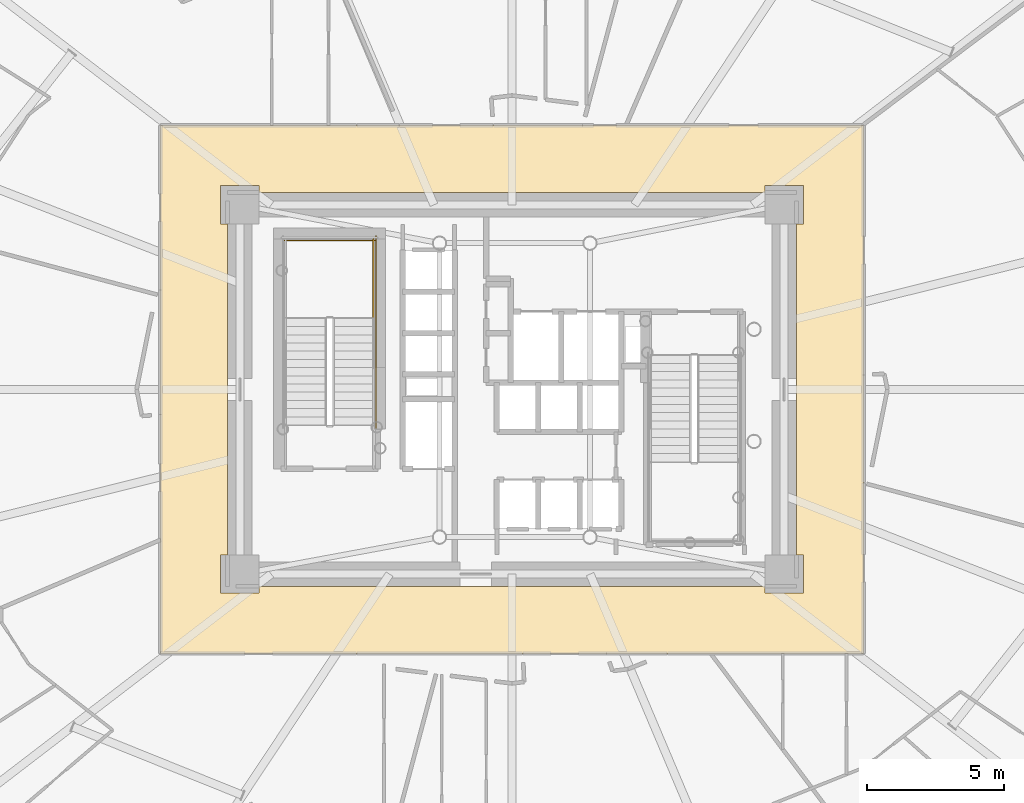
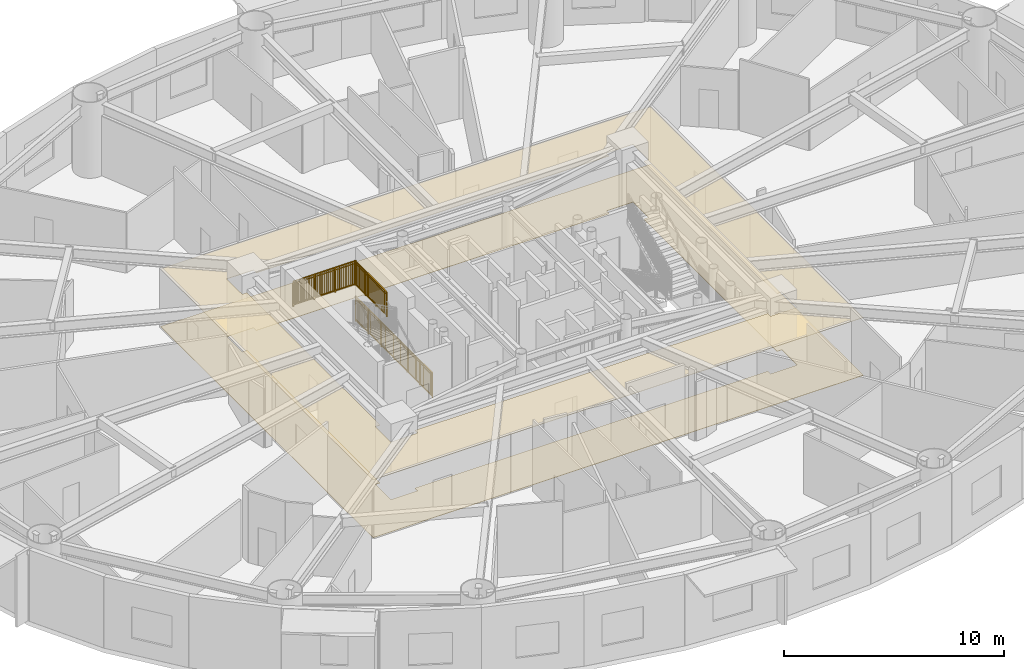
# One storey, part 20 of 24: 3 railings, 2 coverings.
"""IFC4 building model written with IfcOpenShell, lengths in metres."""

from ifc_helpers import new_model, si_unit, direction, frame, origin, origin_2d, place, context, subcontext, project, spatial, polyline, rectangle, outline, extrude, source, transform, mapped, material, layer, layer_set, type_object, element, save


model = new_model("IFC4")

# Units and contexts
model_context = context("Model", 3, precision=1e-05, world=origin(), true_north=direction((0.0, 1.0)))
body_context = subcontext(model_context, "Body", "Model", "MODEL_VIEW")
ifc_project = project(units=[si_unit("LENGTHUNIT", "METRE"), si_unit("AREAUNIT", "SQUARE_METRE"), si_unit("VOLUMEUNIT", "CUBIC_METRE"), si_unit("PLANEANGLEUNIT", "RADIAN"), si_unit("MASSUNIT", "GRAM", prefix="KILO")], contexts=[model_context])

# Site, building, storey
site_placement = place(None, origin())
site = spatial("IfcSite", under=ifc_project, at=site_placement, CompositionType="ELEMENT")
building_placement = place(site_placement, origin())
building = spatial("IfcBuilding", under=site, at=building_placement, Name="Linh Dai School and Residence Tower", CompositionType="ELEMENT")
storey_placement = place(building_placement, frame((0.0, 0.0, 70.199951171875)))
storey = spatial("IfcBuildingStorey", under=building, at=storey_placement, Name="L16", CompositionType="ELEMENT", Elevation=70.199951171875)

# Coverings
ifc_material_1 = material(Name="Mineral Fibre Acoustic Suspended Ceiling", Category="masonry")
ifc_layer_1 = layer(ifc_material_1, 0.02001953125)
ifc_layer_set_1 = layer_set([ifc_layer_1], Name="Mineral Fibre Acoustic Suspended Ceiling")
covering_type_1 = type_object("IfcCoveringType", Name="COV-CEIL-AC-20", PredefinedType="CEILING", material=ifc_layer_set_1)
covering_1_placement = place(storey_placement, frame((0.0, 0.0, 3.199951171875)))
element("IfcCovering", 1, at=covering_1_placement, inside=storey, type_object=covering_type_1, Name="L16 Residential Floor Corridor Suspended Ceiling", PredefinedType="CEILING", context=body_context, shape_type="SweptSolid", body=[
    extrude(outline(polyline([(48.85009765625, 36.64990234375), (48.85009765625, 17.35009765625), (23.14990234375, 17.35009765625), (23.14990234375, 36.64990234375), (48.85009765625, 36.64990234375)]), holes=[polyline([(26.75, 34.199951171875), (26.75, 34.449951171875), (25.35009765625, 34.449951171875), (25.35009765625, 33.050048828125), (25.60009765625, 33.050048828125), (25.60009765625, 20.949951171875), (25.35009765625, 20.949951171875), (25.35009765625, 19.550048828125), (26.75, 19.550048828125), (26.75, 19.800048828125), (45.25, 19.800048828125), (45.25, 19.550048828125), (46.64990234375, 19.550048828125), (46.64990234375, 20.949951171875), (46.39990234375, 20.949951171875), (46.39990234375, 33.050048828125), (46.64990234375, 33.050048828125), (46.64990234375, 34.449951171875), (45.25, 34.449951171875), (45.25, 34.199951171875), (26.75, 34.199951171875)])]), origin(), (0.0, 0.0, 1.0), 0.02001953125),
])
ifc_material_2 = material(Name="Polished Terrazzo Floor Finish", Category="masonry")
ifc_layer_2 = layer(ifc_material_2, 0.02490234375)
ifc_layer_set_2 = layer_set([ifc_layer_2], Name="Polished Terrazzo Floor Finish")
covering_type_2 = type_object("IfcCoveringType", Name="COV-FLR-TRZ-25", PredefinedType="FLOORING", material=ifc_layer_set_2)
covering_2_placement = place(storey_placement, origin())
element("IfcCovering", 2, at=covering_2_placement, inside=storey, type_object=covering_type_2, Name="L16 Residential Floor Corridor Floor Finish", PredefinedType="FLOORING", context=body_context, shape_type="SweptSolid", body=[
    extrude(outline(polyline([(48.85009765625, 36.64990234375), (48.85009765625, 17.35009765625), (23.14990234375, 17.35009765625), (23.14990234375, 36.64990234375), (48.85009765625, 36.64990234375)]), holes=[polyline([(26.75, 34.199951171875), (26.75, 34.449951171875), (25.35009765625, 34.449951171875), (25.35009765625, 33.050048828125), (25.60009765625, 33.050048828125), (25.60009765625, 20.949951171875), (25.35009765625, 20.949951171875), (25.35009765625, 19.550048828125), (26.75, 19.550048828125), (26.75, 19.800048828125), (45.25, 19.800048828125), (45.25, 19.550048828125), (46.64990234375, 19.550048828125), (46.64990234375, 20.949951171875), (46.39990234375, 20.949951171875), (46.39990234375, 33.050048828125), (46.64990234375, 33.050048828125), (46.64990234375, 34.449951171875), (45.25, 34.449951171875), (45.25, 34.199951171875), (26.75, 34.199951171875)])]), origin(), (0.0, 0.0, 1.0), 0.02001953125),
])

# Railings
ifc_material_3 = material(Name="Structural Steel S355JR", Category="steel")
railing_type = type_object("IfcRailingType", Name="RL-ST-GUARD-1400", PredefinedType="GUARDRAIL", material=ifc_material_3)
shared_shape_1 = source(origin(), body_context, "Body", "SweptSolid", [
    extrude(rectangle(XDim=0.048095703125, YDim=0.048095703125, at=origin_2d()), frame((0.0, 0.0, 1.3759765625), z_axis=(-1.0, 0.0, 0.0), x_axis=(0.0, -1.0, 0.0)), (0.0, 0.0, 1.0), 3.300048828125),
    extrude(rectangle(XDim=0.048095703125, YDim=0.048095703125, at=origin_2d()), frame((0.0, 0.0, 0.10009765625), z_axis=(-1.0, 0.0, 0.0), x_axis=(0.0, -1.0, 0.0)), (0.0, 0.0, 1.0), 3.300048828125),
    extrude(rectangle(XDim=0.030029296875, YDim=0.030029296875, at=origin_2d()), frame((0.0, 0.0, 1.239990234375), z_axis=(-1.0, 0.0, 0.0), x_axis=(0.0, -1.0, 0.0)), (0.0, 0.0, 1.0), 3.300048828125),
    extrude(rectangle(XDim=0.02001953125, YDim=0.02001953125, at=origin_2d()), frame((-0.09716796875, 0.0, 0.10009765625)), (0.0, 0.0, 1.0), 1.251708984375),
    extrude(rectangle(XDim=0.02001953125, YDim=0.02001953125, at=origin_2d()), frame((-0.194091796875, 0.0, 0.10009765625)), (0.0, 0.0, 1.0), 1.251708984375),
    extrude(rectangle(XDim=0.02001953125, YDim=0.02001953125, at=origin_2d()), frame((-0.291259765625, 0.0, 0.10009765625)), (0.0, 0.0, 1.0), 1.251708984375),
    extrude(rectangle(XDim=0.02001953125, YDim=0.02001953125, at=origin_2d()), frame((-0.38818359375, 0.0, 0.10009765625)), (0.0, 0.0, 1.0), 1.251708984375),
    extrude(rectangle(XDim=0.02001953125, YDim=0.02001953125, at=origin_2d()), frame((-0.4853515625, 0.0, 0.10009765625)), (0.0, 0.0, 1.0), 1.251708984375),
    extrude(rectangle(XDim=0.02001953125, YDim=0.02001953125, at=origin_2d()), frame((-0.582275390625, 0.0, 0.10009765625)), (0.0, 0.0, 1.0), 1.251708984375),
    extrude(rectangle(XDim=0.02001953125, YDim=0.02001953125, at=origin_2d()), frame((-0.679443359375, 0.0, 0.10009765625)), (0.0, 0.0, 1.0), 1.251708984375),
    extrude(rectangle(XDim=0.02001953125, YDim=0.02001953125, at=origin_2d()), frame((-0.7763671875, 0.0, 0.10009765625)), (0.0, 0.0, 1.0), 1.251708984375),
    extrude(rectangle(XDim=0.02001953125, YDim=0.02001953125, at=origin_2d()), frame((-0.87353515625, 0.0, 0.10009765625)), (0.0, 0.0, 1.0), 1.251708984375),
    extrude(rectangle(XDim=0.02001953125, YDim=0.02001953125, at=origin_2d()), frame((-0.970703125, 0.0, 0.10009765625)), (0.0, 0.0, 1.0), 1.251708984375),
    extrude(rectangle(XDim=0.02001953125, YDim=0.02001953125, at=origin_2d()), frame((-1.164794921875, 0.0, 0.10009765625)), (0.0, 0.0, 1.0), 1.251708984375),
    extrude(rectangle(XDim=0.02001953125, YDim=0.02001953125, at=origin_2d()), frame((-1.26171875, 0.0, 0.10009765625)), (0.0, 0.0, 1.0), 1.251708984375),
    extrude(rectangle(XDim=0.02001953125, YDim=0.02001953125, at=origin_2d()), frame((-1.35888671875, 0.0, 0.10009765625)), (0.0, 0.0, 1.0), 1.251708984375),
    extrude(rectangle(XDim=0.02001953125, YDim=0.02001953125, at=origin_2d()), frame((-1.455810546875, 0.0, 0.10009765625)), (0.0, 0.0, 1.0), 1.251708984375),
    extrude(rectangle(XDim=0.02001953125, YDim=0.02001953125, at=origin_2d()), frame((-1.552978515625, 0.0, 0.10009765625)), (0.0, 0.0, 1.0), 1.251708984375),
    extrude(rectangle(XDim=0.02001953125, YDim=0.02001953125, at=origin_2d()), frame((-1.64990234375, 0.0, 0.10009765625)), (0.0, 0.0, 1.0), 1.251708984375),
    extrude(rectangle(XDim=0.02001953125, YDim=0.02001953125, at=origin_2d()), frame((-1.7470703125, 0.0, 0.10009765625)), (0.0, 0.0, 1.0), 1.251708984375),
    extrude(rectangle(XDim=0.02001953125, YDim=0.02001953125, at=origin_2d()), frame((-1.84423828125, 0.0, 0.10009765625)), (0.0, 0.0, 1.0), 1.251708984375),
    extrude(rectangle(XDim=0.02001953125, YDim=0.02001953125, at=origin_2d()), frame((-1.941162109375, 0.0, 0.10009765625)), (0.0, 0.0, 1.0), 1.251708984375),
    extrude(rectangle(XDim=0.02001953125, YDim=0.02001953125, at=origin_2d()), frame((-2.038330078125, 0.0, 0.10009765625)), (0.0, 0.0, 1.0), 1.251708984375),
    extrude(rectangle(XDim=0.02001953125, YDim=0.02001953125, at=origin_2d()), frame((-2.13525390625, 0.0, 0.10009765625)), (0.0, 0.0, 1.0), 1.251708984375),
    extrude(rectangle(XDim=0.02001953125, YDim=0.02001953125, at=origin_2d()), frame((-2.329345703125, 0.0, 0.10009765625)), (0.0, 0.0, 1.0), 1.251708984375),
    extrude(rectangle(XDim=0.02001953125, YDim=0.02001953125, at=origin_2d()), frame((-2.426513671875, 0.0, 0.10009765625)), (0.0, 0.0, 1.0), 1.251708984375),
    extrude(rectangle(XDim=0.02001953125, YDim=0.02001953125, at=origin_2d()), frame((-2.523681640625, 0.0, 0.10009765625)), (0.0, 0.0, 1.0), 1.251708984375),
    extrude(rectangle(XDim=0.02001953125, YDim=0.02001953125, at=origin_2d()), frame((-2.62060546875, 0.0, 0.10009765625)), (0.0, 0.0, 1.0), 1.251708984375),
    extrude(rectangle(XDim=0.02001953125, YDim=0.02001953125, at=origin_2d()), frame((-2.7177734375, 0.0, 0.10009765625)), (0.0, 0.0, 1.0), 1.251708984375),
    extrude(rectangle(XDim=0.02001953125, YDim=0.02001953125, at=origin_2d()), frame((-2.814697265625, 0.0, 0.10009765625)), (0.0, 0.0, 1.0), 1.251708984375),
    extrude(rectangle(XDim=0.02001953125, YDim=0.02001953125, at=origin_2d()), frame((-2.911865234375, 0.0, 0.10009765625)), (0.0, 0.0, 1.0), 1.251708984375),
    extrude(rectangle(XDim=0.02001953125, YDim=0.02001953125, at=origin_2d()), frame((-3.0087890625, 0.0, 0.10009765625)), (0.0, 0.0, 1.0), 1.251708984375),
    extrude(rectangle(XDim=0.02001953125, YDim=0.02001953125, at=origin_2d()), frame((-3.10595703125, 0.0, 0.10009765625)), (0.0, 0.0, 1.0), 1.251708984375),
    extrude(rectangle(XDim=0.02001953125, YDim=0.02001953125, at=origin_2d()), frame((-3.202880859375, 0.0, 0.10009765625)), (0.0, 0.0, 1.0), 1.251708984375),
    extrude(rectangle(XDim=0.0419921875, YDim=0.0419921875, at=origin_2d()), origin(), (0.0, 0.0, 1.0), 1.3759765625),
    extrude(rectangle(XDim=0.0419921875, YDim=0.0419921875, at=origin_2d()), frame((-1.10009765625, 0.0, 0.0)), (0.0, 0.0, 1.0), 1.3759765625),
    extrude(rectangle(XDim=0.0419921875, YDim=0.0419921875, at=origin_2d()), frame((-2.199951171875, 0.0, 0.0)), (0.0, 0.0, 1.0), 1.3759765625),
    extrude(rectangle(XDim=0.0419921875, YDim=0.0419921875, at=origin_2d()), frame((-3.300048828125, 0.0, 0.0)), (0.0, 0.0, 1.0), 1.3759765625),
])
railing_1_placement = place(storey_placement, frame((30.97998046875, 32.449951171875, 2.10009765625)))
element("IfcRailing", 3, at=railing_1_placement, inside=storey, type_object=railing_type, Name="L16 ST1 stair guard 5", PredefinedType="GUARDRAIL", context=body_context, shape_type="MappedRepresentation", body=[
    mapped(shared_shape_1, transform((0.0, 0.0, 0.0), x_axis=(1.0, 0.0, 0.0), y_axis=(0.0, 1.0, 0.0), z_axis=(0.0, 0.0, 1.0), scale=1.0)),
])
shared_shape_2 = source(origin(), body_context, "Body", "SweptSolid", [
    extrude(rectangle(XDim=0.048095703125, YDim=0.048095703125, at=origin_2d()), frame((0.0, 0.0, 1.3759765625), z_axis=(0.0, 1.0, 0.0), x_axis=(-1.0, 0.0, 0.0)), (0.0, 0.0, 1.0), 7.0),
    extrude(rectangle(XDim=0.048095703125, YDim=0.048095703125, at=origin_2d()), frame((0.0, 0.0, 0.10009765625), z_axis=(0.0, 1.0, 0.0), x_axis=(-1.0, 0.0, 0.0)), (0.0, 0.0, 1.0), 7.0),
    extrude(rectangle(XDim=0.030029296875, YDim=0.030029296875, at=origin_2d()), frame((0.0, 0.0, 1.239990234375), z_axis=(0.0, 1.0, 0.0), x_axis=(-1.0, 0.0, 0.0)), (0.0, 0.0, 1.0), 7.0),
    extrude(rectangle(XDim=0.02001953125, YDim=0.02001953125, at=origin_2d()), frame((0.0, 0.09716796875, 0.10009765625)), (0.0, 0.0, 1.0), 1.251708984375),
    extrude(rectangle(XDim=0.02001953125, YDim=0.02001953125, at=origin_2d()), frame((0.0, 0.1943359375, 0.10009765625)), (0.0, 0.0, 1.0), 1.251708984375),
    extrude(rectangle(XDim=0.02001953125, YDim=0.02001953125, at=origin_2d()), frame((0.0, 0.291748046875, 0.10009765625)), (0.0, 0.0, 1.0), 1.251708984375),
    extrude(rectangle(XDim=0.02001953125, YDim=0.02001953125, at=origin_2d()), frame((0.0, 0.388916015625, 0.10009765625)), (0.0, 0.0, 1.0), 1.251708984375),
    extrude(rectangle(XDim=0.02001953125, YDim=0.02001953125, at=origin_2d()), frame((0.0, 0.486083984375, 0.10009765625)), (0.0, 0.0, 1.0), 1.251708984375),
    extrude(rectangle(XDim=0.02001953125, YDim=0.02001953125, at=origin_2d()), frame((0.0, 0.583251953125, 0.10009765625)), (0.0, 0.0, 1.0), 1.251708984375),
    extrude(rectangle(XDim=0.02001953125, YDim=0.02001953125, at=origin_2d()), frame((0.0, 0.6806640625, 0.10009765625)), (0.0, 0.0, 1.0), 1.251708984375),
    extrude(rectangle(XDim=0.02001953125, YDim=0.02001953125, at=origin_2d()), frame((0.0, 0.77783203125, 0.10009765625)), (0.0, 0.0, 1.0), 1.251708984375),
    extrude(rectangle(XDim=0.02001953125, YDim=0.02001953125, at=origin_2d()), frame((0.0, 0.875, 0.10009765625)), (0.0, 0.0, 1.0), 1.251708984375),
    extrude(rectangle(XDim=0.02001953125, YDim=0.02001953125, at=origin_2d()), frame((0.0, 0.97216796875, 0.10009765625)), (0.0, 0.0, 1.0), 1.251708984375),
    extrude(rectangle(XDim=0.02001953125, YDim=0.02001953125, at=origin_2d()), frame((0.0, 1.0693359375, 0.10009765625)), (0.0, 0.0, 1.0), 1.251708984375),
    extrude(rectangle(XDim=0.02001953125, YDim=0.02001953125, at=origin_2d()), frame((0.0, 1.263916015625, 0.10009765625)), (0.0, 0.0, 1.0), 1.251708984375),
    extrude(rectangle(XDim=0.02001953125, YDim=0.02001953125, at=origin_2d()), frame((0.0, 1.361083984375, 0.10009765625)), (0.0, 0.0, 1.0), 1.251708984375),
    extrude(rectangle(XDim=0.02001953125, YDim=0.02001953125, at=origin_2d()), frame((0.0, 1.458251953125, 0.10009765625)), (0.0, 0.0, 1.0), 1.251708984375),
    extrude(rectangle(XDim=0.02001953125, YDim=0.02001953125, at=origin_2d()), frame((0.0, 1.5556640625, 0.10009765625)), (0.0, 0.0, 1.0), 1.251708984375),
    extrude(rectangle(XDim=0.02001953125, YDim=0.02001953125, at=origin_2d()), frame((0.0, 1.65283203125, 0.10009765625)), (0.0, 0.0, 1.0), 1.251708984375),
    extrude(rectangle(XDim=0.02001953125, YDim=0.02001953125, at=origin_2d()), frame((0.0, 1.75, 0.10009765625)), (0.0, 0.0, 1.0), 1.251708984375),
    extrude(rectangle(XDim=0.02001953125, YDim=0.02001953125, at=origin_2d()), frame((0.0, 1.84716796875, 0.10009765625)), (0.0, 0.0, 1.0), 1.251708984375),
    extrude(rectangle(XDim=0.02001953125, YDim=0.02001953125, at=origin_2d()), frame((0.0, 1.9443359375, 0.10009765625)), (0.0, 0.0, 1.0), 1.251708984375),
    extrude(rectangle(XDim=0.02001953125, YDim=0.02001953125, at=origin_2d()), frame((0.0, 2.041748046875, 0.10009765625)), (0.0, 0.0, 1.0), 1.251708984375),
    extrude(rectangle(XDim=0.02001953125, YDim=0.02001953125, at=origin_2d()), frame((0.0, 2.138916015625, 0.10009765625)), (0.0, 0.0, 1.0), 1.251708984375),
    extrude(rectangle(XDim=0.02001953125, YDim=0.02001953125, at=origin_2d()), frame((0.0, 2.236083984375, 0.10009765625)), (0.0, 0.0, 1.0), 1.251708984375),
    extrude(rectangle(XDim=0.02001953125, YDim=0.02001953125, at=origin_2d()), frame((0.0, 2.4306640625, 0.10009765625)), (0.0, 0.0, 1.0), 1.251708984375),
    extrude(rectangle(XDim=0.02001953125, YDim=0.02001953125, at=origin_2d()), frame((0.0, 2.52783203125, 0.10009765625)), (0.0, 0.0, 1.0), 1.251708984375),
    extrude(rectangle(XDim=0.02001953125, YDim=0.02001953125, at=origin_2d()), frame((0.0, 2.625, 0.10009765625)), (0.0, 0.0, 1.0), 1.251708984375),
    extrude(rectangle(XDim=0.02001953125, YDim=0.02001953125, at=origin_2d()), frame((0.0, 2.72216796875, 0.10009765625)), (0.0, 0.0, 1.0), 1.251708984375),
    extrude(rectangle(XDim=0.02001953125, YDim=0.02001953125, at=origin_2d()), frame((0.0, 2.8193359375, 0.10009765625)), (0.0, 0.0, 1.0), 1.251708984375),
    extrude(rectangle(XDim=0.02001953125, YDim=0.02001953125, at=origin_2d()), frame((0.0, 2.916748046875, 0.10009765625)), (0.0, 0.0, 1.0), 1.251708984375),
    extrude(rectangle(XDim=0.02001953125, YDim=0.02001953125, at=origin_2d()), frame((0.0, 3.013916015625, 0.10009765625)), (0.0, 0.0, 1.0), 1.251708984375),
    extrude(rectangle(XDim=0.02001953125, YDim=0.02001953125, at=origin_2d()), frame((0.0, 3.111083984375, 0.10009765625)), (0.0, 0.0, 1.0), 1.251708984375),
    extrude(rectangle(XDim=0.02001953125, YDim=0.02001953125, at=origin_2d()), frame((0.0, 3.208251953125, 0.10009765625)), (0.0, 0.0, 1.0), 1.251708984375),
    extrude(rectangle(XDim=0.02001953125, YDim=0.02001953125, at=origin_2d()), frame((0.0, 3.3056640625, 0.10009765625)), (0.0, 0.0, 1.0), 1.251708984375),
    extrude(rectangle(XDim=0.02001953125, YDim=0.02001953125, at=origin_2d()), frame((0.0, 3.40283203125, 0.10009765625)), (0.0, 0.0, 1.0), 1.251708984375),
    extrude(rectangle(XDim=0.02001953125, YDim=0.02001953125, at=origin_2d()), frame((0.0, 3.59716796875, 0.10009765625)), (0.0, 0.0, 1.0), 1.251708984375),
    extrude(rectangle(XDim=0.02001953125, YDim=0.02001953125, at=origin_2d()), frame((0.0, 3.6943359375, 0.10009765625)), (0.0, 0.0, 1.0), 1.251708984375),
    extrude(rectangle(XDim=0.02001953125, YDim=0.02001953125, at=origin_2d()), frame((0.0, 3.791748046875, 0.10009765625)), (0.0, 0.0, 1.0), 1.251708984375),
    extrude(rectangle(XDim=0.02001953125, YDim=0.02001953125, at=origin_2d()), frame((0.0, 3.888916015625, 0.10009765625)), (0.0, 0.0, 1.0), 1.251708984375),
    extrude(rectangle(XDim=0.02001953125, YDim=0.02001953125, at=origin_2d()), frame((0.0, 3.986083984375, 0.10009765625)), (0.0, 0.0, 1.0), 1.251708984375),
    extrude(rectangle(XDim=0.02001953125, YDim=0.02001953125, at=origin_2d()), frame((0.0, 4.083251953125, 0.10009765625)), (0.0, 0.0, 1.0), 1.251708984375),
    extrude(rectangle(XDim=0.02001953125, YDim=0.02001953125, at=origin_2d()), frame((0.0, 4.1806640625, 0.10009765625)), (0.0, 0.0, 1.0), 1.251708984375),
    extrude(rectangle(XDim=0.02001953125, YDim=0.02001953125, at=origin_2d()), frame((0.0, 4.27783203125, 0.10009765625)), (0.0, 0.0, 1.0), 1.251708984375),
    extrude(rectangle(XDim=0.02001953125, YDim=0.02001953125, at=origin_2d()), frame((0.0, 4.375, 0.10009765625)), (0.0, 0.0, 1.0), 1.251708984375),
    extrude(rectangle(XDim=0.02001953125, YDim=0.02001953125, at=origin_2d()), frame((0.0, 4.47216796875, 0.10009765625)), (0.0, 0.0, 1.0), 1.251708984375),
    extrude(rectangle(XDim=0.02001953125, YDim=0.02001953125, at=origin_2d()), frame((0.0, 4.5693359375, 0.10009765625)), (0.0, 0.0, 1.0), 1.251708984375),
    extrude(rectangle(XDim=0.02001953125, YDim=0.02001953125, at=origin_2d()), frame((0.0, 4.763916015625, 0.10009765625)), (0.0, 0.0, 1.0), 1.251708984375),
    extrude(rectangle(XDim=0.02001953125, YDim=0.02001953125, at=origin_2d()), frame((0.0, 4.861083984375, 0.10009765625)), (0.0, 0.0, 1.0), 1.251708984375),
    extrude(rectangle(XDim=0.02001953125, YDim=0.02001953125, at=origin_2d()), frame((0.0, 4.958251953125, 0.10009765625)), (0.0, 0.0, 1.0), 1.251708984375),
    extrude(rectangle(XDim=0.02001953125, YDim=0.02001953125, at=origin_2d()), frame((0.0, 5.0556640625, 0.10009765625)), (0.0, 0.0, 1.0), 1.251708984375),
    extrude(rectangle(XDim=0.02001953125, YDim=0.02001953125, at=origin_2d()), frame((0.0, 5.15283203125, 0.10009765625)), (0.0, 0.0, 1.0), 1.251708984375),
    extrude(rectangle(XDim=0.02001953125, YDim=0.02001953125, at=origin_2d()), frame((0.0, 5.25, 0.10009765625)), (0.0, 0.0, 1.0), 1.251708984375),
    extrude(rectangle(XDim=0.02001953125, YDim=0.02001953125, at=origin_2d()), frame((0.0, 5.34716796875, 0.10009765625)), (0.0, 0.0, 1.0), 1.251708984375),
    extrude(rectangle(XDim=0.02001953125, YDim=0.02001953125, at=origin_2d()), frame((0.0, 5.4443359375, 0.10009765625)), (0.0, 0.0, 1.0), 1.251708984375),
    extrude(rectangle(XDim=0.02001953125, YDim=0.02001953125, at=origin_2d()), frame((0.0, 5.541748046875, 0.10009765625)), (0.0, 0.0, 1.0), 1.251708984375),
    extrude(rectangle(XDim=0.02001953125, YDim=0.02001953125, at=origin_2d()), frame((0.0, 5.638916015625, 0.10009765625)), (0.0, 0.0, 1.0), 1.251708984375),
    extrude(rectangle(XDim=0.02001953125, YDim=0.02001953125, at=origin_2d()), frame((0.0, 5.736083984375, 0.10009765625)), (0.0, 0.0, 1.0), 1.251708984375),
    extrude(rectangle(XDim=0.02001953125, YDim=0.02001953125, at=origin_2d()), frame((0.0, 5.9306640625, 0.10009765625)), (0.0, 0.0, 1.0), 1.251708984375),
    extrude(rectangle(XDim=0.02001953125, YDim=0.02001953125, at=origin_2d()), frame((0.0, 6.02783203125, 0.10009765625)), (0.0, 0.0, 1.0), 1.251708984375),
    extrude(rectangle(XDim=0.02001953125, YDim=0.02001953125, at=origin_2d()), frame((0.0, 6.125, 0.10009765625)), (0.0, 0.0, 1.0), 1.251708984375),
    extrude(rectangle(XDim=0.02001953125, YDim=0.02001953125, at=origin_2d()), frame((0.0, 6.22216796875, 0.10009765625)), (0.0, 0.0, 1.0), 1.251708984375),
    extrude(rectangle(XDim=0.02001953125, YDim=0.02001953125, at=origin_2d()), frame((0.0, 6.3193359375, 0.10009765625)), (0.0, 0.0, 1.0), 1.251708984375),
    extrude(rectangle(XDim=0.02001953125, YDim=0.02001953125, at=origin_2d()), frame((0.0, 6.416748046875, 0.10009765625)), (0.0, 0.0, 1.0), 1.251708984375),
    extrude(rectangle(XDim=0.02001953125, YDim=0.02001953125, at=origin_2d()), frame((0.0, 6.513916015625, 0.10009765625)), (0.0, 0.0, 1.0), 1.251708984375),
    extrude(rectangle(XDim=0.02001953125, YDim=0.02001953125, at=origin_2d()), frame((0.0, 6.611083984375, 0.10009765625)), (0.0, 0.0, 1.0), 1.251708984375),
    extrude(rectangle(XDim=0.02001953125, YDim=0.02001953125, at=origin_2d()), frame((0.0, 6.708251953125, 0.10009765625)), (0.0, 0.0, 1.0), 1.251708984375),
    extrude(rectangle(XDim=0.02001953125, YDim=0.02001953125, at=origin_2d()), frame((0.0, 6.8056640625, 0.10009765625)), (0.0, 0.0, 1.0), 1.251708984375),
    extrude(rectangle(XDim=0.02001953125, YDim=0.02001953125, at=origin_2d()), frame((0.0, 6.90283203125, 0.10009765625)), (0.0, 0.0, 1.0), 1.251708984375),
    extrude(rectangle(XDim=0.0419921875, YDim=0.0419921875, at=origin_2d()), origin(), (0.0, 0.0, 1.0), 1.3759765625),
    extrude(rectangle(XDim=0.0419921875, YDim=0.0419921875, at=origin_2d()), frame((0.0, 1.166748046875, 0.0)), (0.0, 0.0, 1.0), 1.3759765625),
    extrude(rectangle(XDim=0.0419921875, YDim=0.0419921875, at=origin_2d()), frame((0.0, 2.333251953125, 0.0)), (0.0, 0.0, 1.0), 1.3759765625),
    extrude(rectangle(XDim=0.0419921875, YDim=0.0419921875, at=origin_2d()), frame((0.0, 3.5, 0.0)), (0.0, 0.0, 1.0), 1.3759765625),
    extrude(rectangle(XDim=0.0419921875, YDim=0.0419921875, at=origin_2d()), frame((0.0, 4.666748046875, 0.0)), (0.0, 0.0, 1.0), 1.3759765625),
    extrude(rectangle(XDim=0.0419921875, YDim=0.0419921875, at=origin_2d()), frame((0.0, 5.833251953125, 0.0)), (0.0, 0.0, 1.0), 1.3759765625),
    extrude(rectangle(XDim=0.0419921875, YDim=0.0419921875, at=origin_2d()), frame((0.0, 7.0, 0.0)), (0.0, 0.0, 1.0), 1.3759765625),
])
railing_2_placement = place(storey_placement, frame((31.030029296875, 25.60009765625, 0.0)))
element("IfcRailing", 4, at=railing_2_placement, inside=storey, type_object=railing_type, Name="L16 ST1 stair guard 10", PredefinedType="GUARDRAIL", context=body_context, shape_type="MappedRepresentation", body=[
    mapped(shared_shape_2, transform((0.0, 0.0, 0.0), x_axis=(1.0, 0.0, 0.0), y_axis=(0.0, 1.0, 0.0), z_axis=(0.0, 0.0, 1.0), scale=1.0)),
])
shared_shape_3 = source(origin(), body_context, "Body", "SweptSolid", [
    extrude(rectangle(XDim=0.048095703125, YDim=0.048095703125, at=origin_2d()), frame((0.0, 0.0, 1.3759765625), z_axis=(0.0, 1.0, 0.0), x_axis=(-1.0, 0.0, 0.0)), (0.0, 0.0, 1.0), 2.89990234375),
    extrude(rectangle(XDim=0.048095703125, YDim=0.048095703125, at=origin_2d()), frame((0.0, 0.0, 0.10009765625), z_axis=(0.0, 1.0, 0.0), x_axis=(-1.0, 0.0, 0.0)), (0.0, 0.0, 1.0), 2.89990234375),
    extrude(rectangle(XDim=0.030029296875, YDim=0.030029296875, at=origin_2d()), frame((0.0, 0.0, 1.239990234375), z_axis=(0.0, 1.0, 0.0), x_axis=(-1.0, 0.0, 0.0)), (0.0, 0.0, 1.0), 2.89990234375),
    extrude(rectangle(XDim=0.02001953125, YDim=0.02001953125, at=origin_2d()), frame((0.0, 0.0966796875, 0.10009765625)), (0.0, 0.0, 1.0), 1.251708984375),
    extrude(rectangle(XDim=0.02001953125, YDim=0.02001953125, at=origin_2d()), frame((0.0, 0.193359375, 0.10009765625)), (0.0, 0.0, 1.0), 1.251708984375),
    extrude(rectangle(XDim=0.02001953125, YDim=0.02001953125, at=origin_2d()), frame((0.0, 0.2900390625, 0.10009765625)), (0.0, 0.0, 1.0), 1.251708984375),
    extrude(rectangle(XDim=0.02001953125, YDim=0.02001953125, at=origin_2d()), frame((0.0, 0.38671875, 0.10009765625)), (0.0, 0.0, 1.0), 1.251708984375),
    extrude(rectangle(XDim=0.02001953125, YDim=0.02001953125, at=origin_2d()), frame((0.0, 0.4833984375, 0.10009765625)), (0.0, 0.0, 1.0), 1.251708984375),
    extrude(rectangle(XDim=0.02001953125, YDim=0.02001953125, at=origin_2d()), frame((0.0, 0.580078125, 0.10009765625)), (0.0, 0.0, 1.0), 1.251708984375),
    extrude(rectangle(XDim=0.02001953125, YDim=0.02001953125, at=origin_2d()), frame((0.0, 0.6767578125, 0.10009765625)), (0.0, 0.0, 1.0), 1.251708984375),
    extrude(rectangle(XDim=0.02001953125, YDim=0.02001953125, at=origin_2d()), frame((0.0, 0.773193359375, 0.10009765625)), (0.0, 0.0, 1.0), 1.251708984375),
    extrude(rectangle(XDim=0.02001953125, YDim=0.02001953125, at=origin_2d()), frame((0.0, 0.869873046875, 0.10009765625)), (0.0, 0.0, 1.0), 1.251708984375),
    extrude(rectangle(XDim=0.02001953125, YDim=0.02001953125, at=origin_2d()), frame((0.0, 1.063232421875, 0.10009765625)), (0.0, 0.0, 1.0), 1.251708984375),
    extrude(rectangle(XDim=0.02001953125, YDim=0.02001953125, at=origin_2d()), frame((0.0, 1.159912109375, 0.10009765625)), (0.0, 0.0, 1.0), 1.251708984375),
    extrude(rectangle(XDim=0.02001953125, YDim=0.02001953125, at=origin_2d()), frame((0.0, 1.256591796875, 0.10009765625)), (0.0, 0.0, 1.0), 1.251708984375),
    extrude(rectangle(XDim=0.02001953125, YDim=0.02001953125, at=origin_2d()), frame((0.0, 1.353271484375, 0.10009765625)), (0.0, 0.0, 1.0), 1.251708984375),
    extrude(rectangle(XDim=0.02001953125, YDim=0.02001953125, at=origin_2d()), frame((0.0, 1.449951171875, 0.10009765625)), (0.0, 0.0, 1.0), 1.251708984375),
    extrude(rectangle(XDim=0.02001953125, YDim=0.02001953125, at=origin_2d()), frame((0.0, 1.546630859375, 0.10009765625)), (0.0, 0.0, 1.0), 1.251708984375),
    extrude(rectangle(XDim=0.02001953125, YDim=0.02001953125, at=origin_2d()), frame((0.0, 1.643310546875, 0.10009765625)), (0.0, 0.0, 1.0), 1.251708984375),
    extrude(rectangle(XDim=0.02001953125, YDim=0.02001953125, at=origin_2d()), frame((0.0, 1.739990234375, 0.10009765625)), (0.0, 0.0, 1.0), 1.251708984375),
    extrude(rectangle(XDim=0.02001953125, YDim=0.02001953125, at=origin_2d()), frame((0.0, 1.836669921875, 0.10009765625)), (0.0, 0.0, 1.0), 1.251708984375),
    extrude(rectangle(XDim=0.02001953125, YDim=0.02001953125, at=origin_2d()), frame((0.0, 2.030029296875, 0.10009765625)), (0.0, 0.0, 1.0), 1.251708984375),
    extrude(rectangle(XDim=0.02001953125, YDim=0.02001953125, at=origin_2d()), frame((0.0, 2.126708984375, 0.10009765625)), (0.0, 0.0, 1.0), 1.251708984375),
    extrude(rectangle(XDim=0.02001953125, YDim=0.02001953125, at=origin_2d()), frame((0.0, 2.22314453125, 0.10009765625)), (0.0, 0.0, 1.0), 1.251708984375),
    extrude(rectangle(XDim=0.02001953125, YDim=0.02001953125, at=origin_2d()), frame((0.0, 2.31982421875, 0.10009765625)), (0.0, 0.0, 1.0), 1.251708984375),
    extrude(rectangle(XDim=0.02001953125, YDim=0.02001953125, at=origin_2d()), frame((0.0, 2.41650390625, 0.10009765625)), (0.0, 0.0, 1.0), 1.251708984375),
    extrude(rectangle(XDim=0.02001953125, YDim=0.02001953125, at=origin_2d()), frame((0.0, 2.51318359375, 0.10009765625)), (0.0, 0.0, 1.0), 1.251708984375),
    extrude(rectangle(XDim=0.02001953125, YDim=0.02001953125, at=origin_2d()), frame((0.0, 2.60986328125, 0.10009765625)), (0.0, 0.0, 1.0), 1.251708984375),
    extrude(rectangle(XDim=0.02001953125, YDim=0.02001953125, at=origin_2d()), frame((0.0, 2.70654296875, 0.10009765625)), (0.0, 0.0, 1.0), 1.251708984375),
    extrude(rectangle(XDim=0.02001953125, YDim=0.02001953125, at=origin_2d()), frame((0.0, 2.80322265625, 0.10009765625)), (0.0, 0.0, 1.0), 1.251708984375),
    extrude(rectangle(XDim=0.0419921875, YDim=0.0419921875, at=origin_2d()), origin(), (0.0, 0.0, 1.0), 1.3759765625),
    extrude(rectangle(XDim=0.0419921875, YDim=0.0419921875, at=origin_2d()), frame((0.0, 0.966552734375, 0.0)), (0.0, 0.0, 1.0), 1.3759765625),
    extrude(rectangle(XDim=0.0419921875, YDim=0.0419921875, at=origin_2d()), frame((0.0, 1.933349609375, 0.0)), (0.0, 0.0, 1.0), 1.3759765625),
    extrude(rectangle(XDim=0.0419921875, YDim=0.0419921875, at=origin_2d()), frame((0.0, 2.89990234375, 0.0)), (0.0, 0.0, 1.0), 1.3759765625),
])
railing_3_placement = place(storey_placement, frame((30.929931640625, 29.60009765625, 2.10009765625)))
element("IfcRailing", 5, at=railing_3_placement, inside=storey, type_object=railing_type, Name="L16 ST1 stair guard 3", PredefinedType="GUARDRAIL", context=body_context, shape_type="MappedRepresentation", body=[
    mapped(shared_shape_3, transform((0.0, 0.0, 0.0), x_axis=(1.0, 0.0, 0.0), y_axis=(0.0, 1.0, 0.0), z_axis=(0.0, 0.0, 1.0), scale=1.0)),
])

save(model, "model.ifc")
